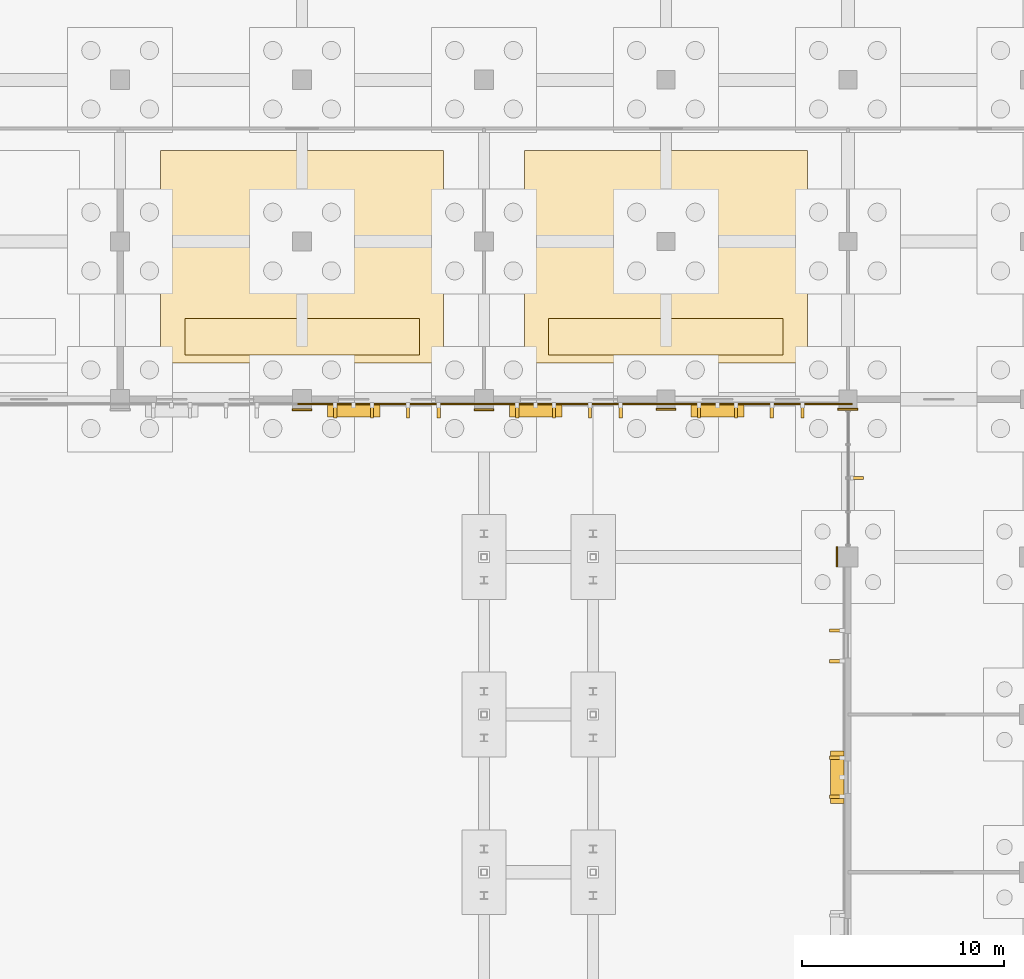
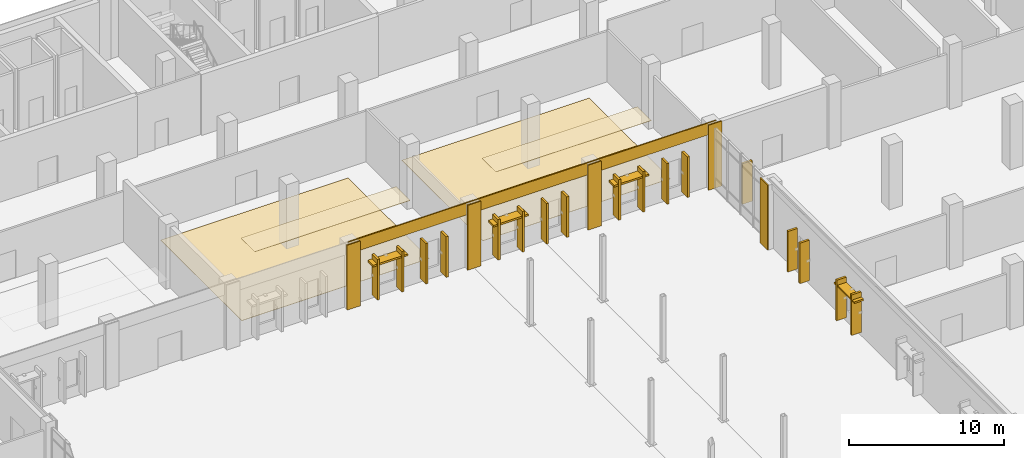
# One storey, part 88 of 94: 21 shading devices, 12 coverings.
"""IFC4 building model written with IfcOpenShell, lengths in metres."""

from ifc_helpers import new_model, si_unit, direction, frame, origin, origin_2d, place, context, subcontext, project, spatial, polyline, rectangle, outline, extrude, material, layer, layer_set, type_object, element, save


model = new_model("IFC4")

# Units and contexts
model_context = context("Model", 3, precision=1e-05, world=origin(), true_north=direction((0.0, 1.0)))
body_context = subcontext(model_context, "Body", "Model", "MODEL_VIEW")
ifc_project = project(units=[si_unit("LENGTHUNIT", "METRE"), si_unit("AREAUNIT", "SQUARE_METRE"), si_unit("VOLUMEUNIT", "CUBIC_METRE"), si_unit("PLANEANGLEUNIT", "RADIAN"), si_unit("MASSUNIT", "GRAM", prefix="KILO")], contexts=[model_context])

# Site, building, storey
site_placement = place(None, origin())
site = spatial("IfcSite", under=ifc_project, at=site_placement, CompositionType="ELEMENT")
building_placement = place(site_placement, origin())
building = spatial("IfcBuilding", under=site, at=building_placement, Name="Vervanel Yard Central Library", CompositionType="ELEMENT")
storey_placement = place(building_placement, origin())
storey = spatial("IfcBuildingStorey", under=building, at=storey_placement, Name="L00", CompositionType="ELEMENT", Elevation=0.0)

# Coverings
ifc_material_1 = material(Name="Precast concrete C45/55", Category="concrete")
ifc_layer_1 = layer(ifc_material_1, 0.0849609375, Category="concrete")
ifc_layer_set_1 = layer_set([ifc_layer_1], Name="Precast concrete C45/55")
covering_type_1 = type_object("IfcCoveringType", Name="Bush-Hammered Precast Architectural Cladding Panel", PredefinedType="CLADDING", material=ifc_layer_set_1)
covering_1_placement = place(storey_placement, frame((63.0, 81.6826171875, 0.0), z_axis=(0.0, 0.0, 1.0), x_axis=(1.0, 0.0, 0.0)))
element("IfcCovering", 1, at=covering_1_placement, inside=storey, type_object=covering_type_1, Name="L00 Precast Concrete Pier Pilaster EWALL-L00-0013-B", PredefinedType="CLADDING", context=body_context, shape_type="SweptSolid", body=[
    extrude(rectangle(XDim=0.97998046875, YDim=0.0849609375, at=origin_2d()), origin(), (0.0, 0.0, 1.0), 5.1201171875),
])
covering_2_placement = place(storey_placement, frame((67.5, 81.9599609375, 4.179931640625), z_axis=(0.0, 0.0, 1.0), x_axis=(1.0, 0.0, 0.0)))
element("IfcCovering", 2, at=covering_2_placement, inside=storey, type_object=covering_type_1, Name="L00 Precast Concrete Spandrel Cornice EWALL-L00-0014", PredefinedType="CLADDING", context=body_context, shape_type="SweptSolid", body=[
    extrude(rectangle(XDim=9.449951171875, YDim=0.0849609375, at=origin_2d()), origin(), (0.0, 0.0, 1.0), 0.93994140625),
])
covering_3_placement = place(storey_placement, frame((72.0, 81.6826171875, 0.0), z_axis=(0.0, 0.0, 1.0), x_axis=(1.0, 0.0, 0.0)))
element("IfcCovering", 3, at=covering_3_placement, inside=storey, type_object=covering_type_1, Name="L00 Precast Concrete Pier Pilaster EWALL-L00-0014-B", PredefinedType="CLADDING", context=body_context, shape_type="SweptSolid", body=[
    extrude(rectangle(XDim=0.97998046875, YDim=0.0849609375, at=origin_2d()), origin(), (0.0, 0.0, 1.0), 5.1201171875),
])
covering_4_placement = place(storey_placement, frame((76.5, 81.9599609375, 4.179931640625), z_axis=(0.0, 0.0, 1.0), x_axis=(1.0, 0.0, 0.0)))
element("IfcCovering", 4, at=covering_4_placement, inside=storey, type_object=covering_type_1, Name="L00 Precast Concrete Spandrel Cornice EWALL-L00-0015", PredefinedType="CLADDING", context=body_context, shape_type="SweptSolid", body=[
    extrude(rectangle(XDim=9.449951171875, YDim=0.0849609375, at=origin_2d()), origin(), (0.0, 0.0, 1.0), 0.93994140625),
])
covering_5_placement = place(storey_placement, frame((81.0, 81.70751953125, 0.0), z_axis=(0.0, 0.0, 1.0), x_axis=(1.0, 0.0, 0.0)))
element("IfcCovering", 5, at=covering_5_placement, inside=storey, type_object=covering_type_1, Name="L00 Precast Concrete Pier Pilaster EWALL-L00-0015-B", PredefinedType="CLADDING", context=body_context, shape_type="SweptSolid", body=[
    extrude(rectangle(XDim=0.97998046875, YDim=0.0849609375, at=origin_2d()), origin(), (0.0, 0.0, 1.0), 5.1201171875),
])
covering_6_placement = place(storey_placement, frame((85.5, 81.9599609375, 4.179931640625), z_axis=(0.0, 0.0, 1.0), x_axis=(1.0, 0.0, 0.0)))
element("IfcCovering", 6, at=covering_6_placement, inside=storey, type_object=covering_type_1, Name="L00 Precast Concrete Spandrel Cornice EWALL-L00-0016", PredefinedType="CLADDING", context=body_context, shape_type="SweptSolid", body=[
    extrude(rectangle(XDim=9.449951171875, YDim=0.0849609375, at=origin_2d()), origin(), (0.0, 0.0, 1.0), 0.93994140625),
])
for number, where, z_axis, x_axis, name in (
    (7, (90.0, 81.70751953125, 0.0), (0.0, 0.0, 1.0), (1.0, 0.0, 0.0), "L00 Precast Concrete Pier Pilaster EWALL-L00-0016-B"),
    (8, (89.45751953125, 74.39990234375, 0.0), (0.0, 0.0, 1.0), (0.0, 1.0, 0.0), "L00 Precast Concrete Pier Pilaster EWALL-L00-0157-B"),
):
    element("IfcCovering", number, at=place(storey_placement, frame(where, z_axis=z_axis, x_axis=x_axis)), inside=storey, type_object=covering_type_1, Name=name, PredefinedType="CLADDING", context=body_context, shape_type="SweptSolid", body=[
        extrude(rectangle(XDim=0.97998046875, YDim=0.0849609375, at=origin_2d()), origin(), (0.0, 0.0, 1.0), 5.1201171875),
    ])

# Shading devices
shading_device_type_1 = type_object("IfcShadingDeviceType", Name="Horizontal Precast Brise-Soleil Sunhood 2600x680x140", PredefinedType="JALOUSIE", material=ifc_material_1)
for number, where, z_axis, x_axis, name in (
    (9, (65.550048828125, 81.659912109375, 2.97998046875), (0.0, 0.0, 1.0), (1.0, 0.0, 0.0), "L00 Precast Horizontal Sunhood 3"),
    (10, (74.550048828125, 81.659912109375, 2.97998046875), (0.0, 0.0, 1.0), (1.0, 0.0, 0.0), "L00 Precast Horizontal Sunhood 4"),
    (11, (83.550048828125, 81.659912109375, 2.97998046875), (0.0, 0.0, 1.0), (1.0, 0.0, 0.0), "L00 Precast Horizontal Sunhood 5"),
    (12, (89.47998046875, 63.5, 2.97998046875), (0.0, 0.0, 1.0), (0.0, 1.0, 0.0), "L00 Precast Horizontal Sunhood 96"),
):
    element("IfcShadingDevice", number, at=place(storey_placement, frame(where, z_axis=z_axis, x_axis=x_axis)), inside=storey, type_object=shading_device_type_1, Name=name, PredefinedType="JALOUSIE", context=body_context, shape_type="SweptSolid", body=[
        extrude(rectangle(XDim=2.60009765625, YDim=0.679931640625, at=origin_2d()), origin(), (0.0, 0.0, 1.0), 0.139892578125),
    ])

# Coverings
ifc_material_2 = material(Name="Polished river-stone terrazzo flooring", Category="masonry")
ifc_layer_2 = layer(ifc_material_2, 0.02490234375, Category="masonry")
ifc_layer_set_2 = layer_set([ifc_layer_2], Name="Polished river-stone terrazzo flooring")
covering_type_2 = type_object("IfcCoveringType", Name="Polished River-Stone Terrazzo Flooring 25", PredefinedType="FLOORING", material=ifc_layer_set_2)
covering_7_placement = place(storey_placement, origin())
element("IfcCovering", 13, at=covering_7_placement, inside=storey, type_object=covering_type_2, Name="L00 Terrazzo Flooring Bay 2", PredefinedType="FLOORING", context=body_context, shape_type="SweptSolid", body=[
    extrude(outline(polyline([(56.0, 84.0), (70.0, 84.0), (70.0, 94.5), (56.0, 94.5), (56.0, 84.0)])), origin(), (0.0, 0.0, 1.0), 0.02490234375),
])
covering_8_placement = place(storey_placement, origin())
element("IfcCovering", 14, at=covering_8_placement, inside=storey, type_object=covering_type_2, Name="L00 Terrazzo Flooring Bay 3", PredefinedType="FLOORING", context=body_context, shape_type="SweptSolid", body=[
    extrude(outline(polyline([(74.0, 84.0), (88.0, 84.0), (88.0, 94.5), (74.0, 94.5), (74.0, 84.0)])), origin(), (0.0, 0.0, 1.0), 0.02490234375),
])
ifc_material_3 = material(Name="Perforated mineral-fibre acoustic ceiling", Category="gypsum")
ifc_layer_3 = layer(ifc_material_3, 0.034912109375, Category="gypsum")
ifc_layer_set_3 = layer_set([ifc_layer_3], Name="Perforated mineral-fibre acoustic ceiling")
covering_type_3 = type_object("IfcCoveringType", Name="Suspended Mineral Acoustic Ceiling 35", PredefinedType="CEILING", material=ifc_layer_set_3)
covering_9_placement = place(storey_placement, frame((0.0, 0.0, 4.764892578125)))
element("IfcCovering", 15, at=covering_9_placement, inside=storey, type_object=covering_type_3, Name="L00 Acoustic Ceiling Bay 2", PredefinedType="CEILING", context=body_context, shape_type="SweptSolid", body=[
    extrude(outline(polyline([(57.199951171875, 84.39990234375), (68.800048828125, 84.39990234375), (68.800048828125, 86.199951171875), (57.199951171875, 86.199951171875), (57.199951171875, 84.39990234375)])), origin(), (0.0, 0.0, 1.0), 0.03515625),
])
covering_10_placement = place(storey_placement, frame((0.0, 0.0, 4.764892578125)))
element("IfcCovering", 16, at=covering_10_placement, inside=storey, type_object=covering_type_3, Name="L00 Acoustic Ceiling Bay 3", PredefinedType="CEILING", context=body_context, shape_type="SweptSolid", body=[
    extrude(outline(polyline([(75.199951171875, 84.39990234375), (86.800048828125, 84.39990234375), (86.800048828125, 86.199951171875), (75.199951171875, 86.199951171875), (75.199951171875, 84.39990234375)])), origin(), (0.0, 0.0, 1.0), 0.03515625),
])

# Shading devices
shading_device_type_2 = type_object("IfcShadingDeviceType", Name="Vertical Precast Solar Fin 160x720x3200", PredefinedType="JALOUSIE", material=ifc_material_1)
for number, where, z_axis, x_axis, name in (
    (17, (64.639892578125, 81.6298828125, 0.2998046875), (0.0, 0.0, 1.0), (1.0, 0.0, 0.0), "L00 Precast Solar Fin 37"),
    (18, (66.4599609375, 81.6298828125, 0.2998046875), (0.0, 0.0, 1.0), (1.0, 0.0, 0.0), "L00 Precast Solar Fin 38"),
    (19, (68.239990234375, 81.6298828125, 0.2998046875), (0.0, 0.0, 1.0), (1.0, 0.0, 0.0), "L00 Precast Solar Fin 39"),
    (20, (69.760009765625, 81.6298828125, 0.2998046875), (0.0, 0.0, 1.0), (1.0, 0.0, 0.0), "L00 Precast Solar Fin 40"),
    (21, (73.639892578125, 81.6298828125, 0.2998046875), (0.0, 0.0, 1.0), (1.0, 0.0, 0.0), "L00 Precast Solar Fin 41"),
    (22, (75.4599609375, 81.6298828125, 0.2998046875), (0.0, 0.0, 1.0), (1.0, 0.0, 0.0), "L00 Precast Solar Fin 42"),
    (23, (77.239990234375, 81.6298828125, 0.2998046875), (0.0, 0.0, 1.0), (1.0, 0.0, 0.0), "L00 Precast Solar Fin 43"),
    (24, (78.760009765625, 81.6298828125, 0.2998046875), (0.0, 0.0, 1.0), (1.0, 0.0, 0.0), "L00 Precast Solar Fin 44"),
    (25, (82.639892578125, 81.6298828125, 0.2998046875), (0.0, 0.0, 1.0), (1.0, 0.0, 0.0), "L00 Precast Solar Fin 45"),
    (26, (84.4599609375, 81.6298828125, 0.2998046875), (0.0, 0.0, 1.0), (1.0, 0.0, 0.0), "L00 Precast Solar Fin 46"),
    (27, (86.239990234375, 81.6298828125, 0.2998046875), (0.0, 0.0, 1.0), (1.0, 0.0, 0.0), "L00 Precast Solar Fin 47"),
    (28, (87.760009765625, 81.6298828125, 0.2998046875), (0.0, 0.0, 1.0), (1.0, 0.0, 0.0), "L00 Precast Solar Fin 48"),
    (29, (89.449951171875, 62.5400390625, 0.3251953125), (0.0, 0.0, 1.0), (0.0, 1.0, 0.0), "L00 Precast Solar Fin 433"),
    (30, (89.449951171875, 64.4599609375, 0.3251953125), (0.0, 0.0, 1.0), (0.0, 1.0, 0.0), "L00 Precast Solar Fin 434"),
    (31, (89.449951171875, 69.239990234375, 0.35009765625), (0.0, 0.0, 1.0), (0.0, 1.0, 0.0), "L00 Precast Solar Fin 435"),
    (32, (89.449951171875, 70.760009765625, 0.35009765625), (0.0, 0.0, 1.0), (0.0, 1.0, 0.0), "L00 Precast Solar Fin 436"),
    (33, (90.409912109375, 78.300048828125, 0.7900390625), (0.0, 0.0, 1.0), (0.0, 1.0, 0.0), "L00 Precast Solar Fin 437"),
):
    element("IfcShadingDevice", number, at=place(storey_placement, frame(where, z_axis=z_axis, x_axis=x_axis)), inside=storey, type_object=shading_device_type_2, Name=name, PredefinedType="JALOUSIE", context=body_context, shape_type="SweptSolid", body=[
        extrude(rectangle(XDim=0.159912109375, YDim=0.719970703125, at=origin_2d()), origin(), (0.0, 0.0, 1.0), 3.199951171875),
    ])

save(model, "model.ifc")
